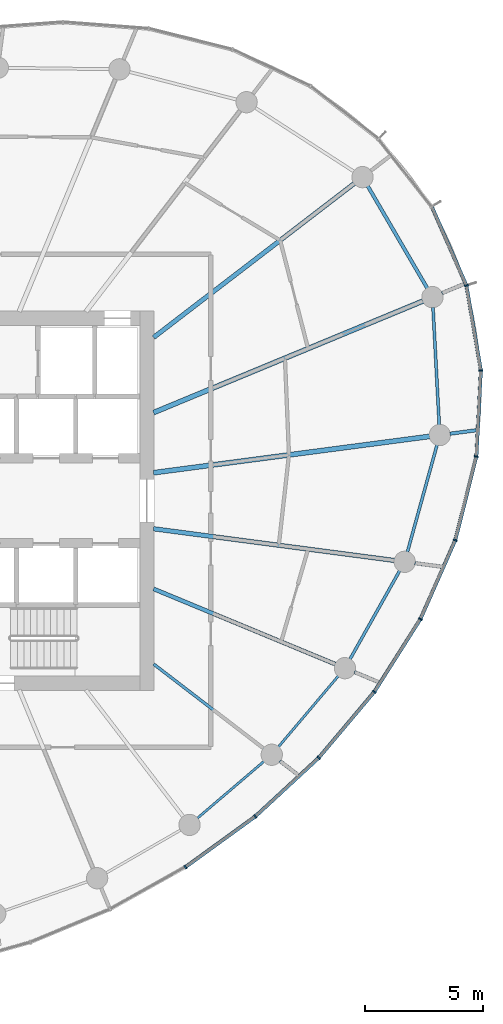
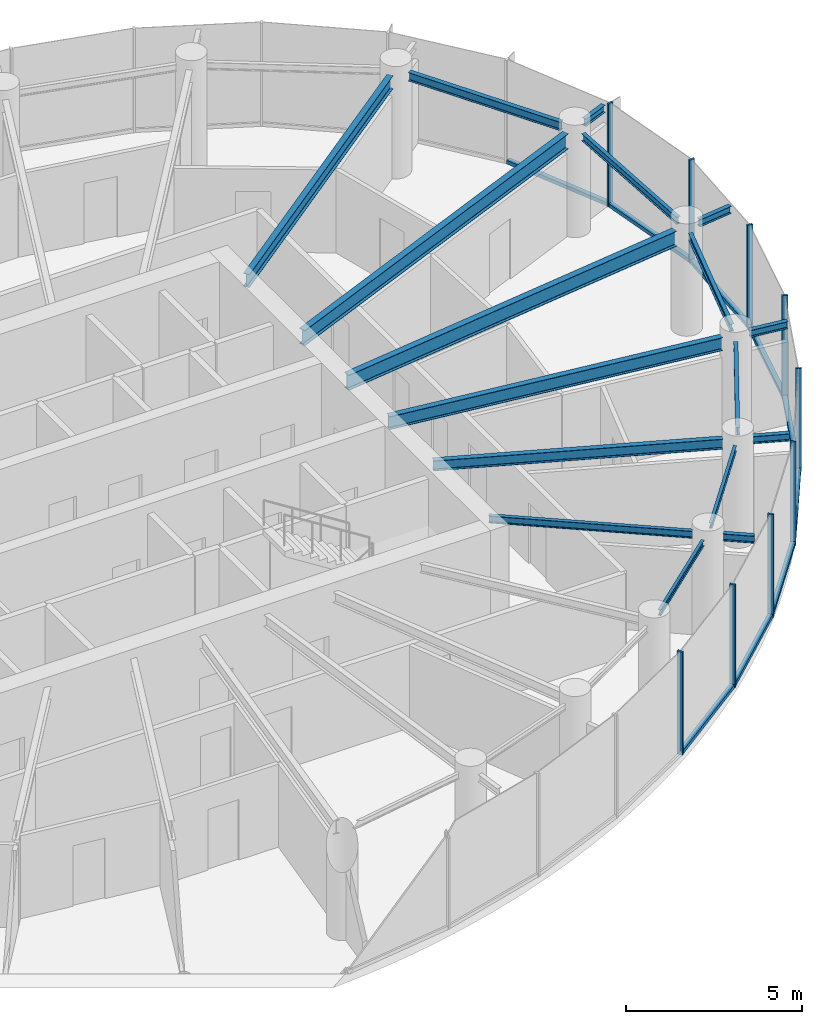
# One storey, part 5 of 14: 18 members, 17 beams, 2 elements without a shape of their own.
"""IFC4 building model written with IfcOpenShell, lengths in metres."""

from ifc_helpers import new_model, si_unit, direction, frame, origin, origin_2d, place, context, subcontext, project, spatial, rectangle, i_section, extrude, source, transform, mapped, material, layer, layer_set, material_profile, profile_set, type_object, element, aggregate, save


model = new_model("IFC4")

# Units and contexts
model_context = context("Model", 3, precision=1e-05, world=origin(), true_north=direction((0.0, 1.0)))
body_context = subcontext(model_context, "Body", "Model", "MODEL_VIEW")
ifc_project = project(units=[si_unit("LENGTHUNIT", "METRE"), si_unit("AREAUNIT", "SQUARE_METRE"), si_unit("VOLUMEUNIT", "CUBIC_METRE"), si_unit("PLANEANGLEUNIT", "RADIAN"), si_unit("MASSUNIT", "GRAM", prefix="KILO")], contexts=[model_context])

# Site, building, storey
site_placement = place(None, origin())
site = spatial("IfcSite", under=ifc_project, at=site_placement, CompositionType="ELEMENT")
building_placement = place(site_placement, origin())
building = spatial("IfcBuilding", under=site, at=building_placement, Name="Spindrift Exchange Tower", CompositionType="ELEMENT")
storey_placement = place(building_placement, frame((0.0, 0.0, 211.10009765625)))
storey = spatial("IfcBuildingStorey", under=building, at=storey_placement, Name="L51", CompositionType="ELEMENT", Elevation=211.10009765625)

# Beams
ifc_material_1 = material(Name="Steel Grade 300", Category="steel")
ifc_material_profile_1 = material_profile(ifc_material_1, i_section(OverallWidth=0.208984375, OverallDepth=0.528076171875, WebThickness=0.009521484375, FlangeThickness=0.01318359375, FilletRadius=0.013916015625, at=origin_2d()), Name="530UB82.0")
ifc_profile_set_1 = profile_set([ifc_material_profile_1], Name="Steel Grade 300")
beam_type_1 = type_object("IfcBeamType", Name="Floor Beam 530UB82.0 Steel Grade 300", PredefinedType="BEAM", material=ifc_profile_set_1)
shared_shape_1 = source(origin(), body_context, "Body", "SweptSolid", [
    extrude(i_section(OverallWidth=0.208984375, OverallDepth=0.528076171875, WebThickness=0.009521484375, FlangeThickness=0.01318359375, FilletRadius=0.013916015625, at=origin_2d()), origin(), (0.0, 0.0, 1.0), 11.75634765625),
])
beam_1_placement = place(storey_placement, frame((60.980224609375, 49.182373046875, 3.31591796875), z_axis=(0.991445811455, 0.13051897543, 0.0), x_axis=(-0.13051897543, 0.991445811455, 0.0)))
element("IfcBeam", 1, at=beam_1_placement, inside=storey, type_object=beam_type_1, Name="L51 radial beam R01A", PredefinedType="BEAM", context=body_context, shape_type="MappedRepresentation", body=[
    mapped(shared_shape_1, transform((0.0, 0.0, 0.0), scale=1.0)),
])
shared_shape_2 = source(origin(), body_context, "Body", "SweptSolid", [
    extrude(i_section(OverallWidth=0.208984375, OverallDepth=0.528076171875, WebThickness=0.009521484375, FlangeThickness=0.01318359375, FilletRadius=0.013916015625, at=origin_2d()), origin(), (0.0, 0.0, 1.0), 12.3115234375),
])
beam_2_placement = place(storey_placement, frame((60.9814453125, 51.72021484375, 3.31591796875), z_axis=(0.923878099838, 0.382686891126, 0.0), x_axis=(-0.382686891126, 0.923878099838, 0.0)))
element("IfcBeam", 2, at=beam_2_placement, inside=storey, type_object=beam_type_1, Name="L51 radial beam R02A", PredefinedType="BEAM", context=body_context, shape_type="MappedRepresentation", body=[
    mapped(shared_shape_2, transform((0.0, 0.0, 0.0), scale=1.0)),
])
ifc_material_profile_2 = material_profile(ifc_material_1, i_section(OverallWidth=0.18994140625, OverallDepth=0.4541015625, WebThickness=0.008544921875, FlangeThickness=0.0126953125, FilletRadius=0.013916015625, at=origin_2d()), Name="460UB67.1")
ifc_profile_set_2 = profile_set([ifc_material_profile_2], Name="Steel Grade 300")
beam_type_2 = type_object("IfcBeamType", Name="Floor Beam 460UB67.1 Steel Grade 300", PredefinedType="BEAM", material=ifc_profile_set_2)
shared_shape_3 = source(origin(), body_context, "Body", "SweptSolid", [
    extrude(i_section(OverallWidth=0.18994140625, OverallDepth=0.4541015625, WebThickness=0.008544921875, FlangeThickness=0.0126953125, FilletRadius=0.013916015625, at=origin_2d()), origin(), (0.0, 0.0, 1.0), 10.684814453125),
])
beam_3_placement = place(storey_placement, frame((60.984130859375, 54.893798828125, 3.352783203125), z_axis=(0.793357316898, 0.608756246559, 0.0), x_axis=(-0.608756246559, 0.793357316898, 0.0)))
element("IfcBeam", 3, at=beam_3_placement, inside=storey, type_object=beam_type_2, Name="L51 radial beam R03A", PredefinedType="BEAM", context=body_context, shape_type="MappedRepresentation", body=[
    mapped(shared_shape_3, transform((0.0, 0.0, 0.0), scale=1.0)),
])
ifc_material_profile_3 = material_profile(ifc_material_1, i_section(OverallWidth=0.1240234375, OverallDepth=0.248046875, WebThickness=0.0048828125, FlangeThickness=0.008056640625, FilletRadius=0.011962890625, at=origin_2d()), Name="250UB25.7")
ifc_profile_set_3 = profile_set([ifc_material_profile_3], Name="Steel Grade 300")
beam_type_3 = type_object("IfcBeamType", Name="Floor Beam 250UB25.7 Steel Grade 300", PredefinedType="BEAM", material=ifc_profile_set_3)
shared_shape_4 = source(origin(), body_context, "Body", "SweptSolid", [
    extrude(i_section(OverallWidth=0.1240234375, OverallDepth=0.248046875, WebThickness=0.0048828125, FlangeThickness=0.008056640625, FilletRadius=0.011962890625, at=origin_2d()), origin(), (0.0, 0.0, 1.0), 5.855712890625),
])
beam_4_placement = place(storey_placement, frame((60.984130859375, 41.106201171875, 3.455810546875), z_axis=(0.793362708479, -0.608749219954, 0.0), x_axis=(0.608749219954, 0.793362708479, 0.0)))
element("IfcBeam", 4, at=beam_4_placement, inside=storey, type_object=beam_type_3, Name="L51 radial beam R22A", PredefinedType="BEAM", context=body_context, shape_type="MappedRepresentation", body=[
    mapped(shared_shape_4, transform((0.0, 0.0, 0.0), scale=1.0)),
])
ifc_material_profile_4 = material_profile(ifc_material_1, i_section(OverallWidth=0.1708984375, OverallDepth=0.35205078125, WebThickness=0.0068359375, FlangeThickness=0.009765625, FilletRadius=0.013916015625, at=origin_2d()), Name="360UB44.7")
ifc_profile_set_4 = profile_set([ifc_material_profile_4], Name="Steel Grade 300")
beam_type_4 = type_object("IfcBeamType", Name="Floor Beam 360UB44.7 Steel Grade 300", PredefinedType="BEAM", material=ifc_profile_set_4)
shared_shape_5 = source(origin(), body_context, "Body", "SweptSolid", [
    extrude(i_section(OverallWidth=0.1708984375, OverallDepth=0.35205078125, WebThickness=0.0068359375, FlangeThickness=0.009765625, FilletRadius=0.013916015625, at=origin_2d()), origin(), (0.0, 0.0, 1.0), 8.3134765625),
])
beam_5_placement = place(storey_placement, frame((60.9814453125, 44.27978515625, 3.40380859375), z_axis=(0.923881179957, -0.382679455055, 0.0), x_axis=(0.382679455055, 0.923881179957, 0.0)))
element("IfcBeam", 5, at=beam_5_placement, inside=storey, type_object=beam_type_4, Name="L51 radial beam R23A", PredefinedType="BEAM", context=body_context, shape_type="MappedRepresentation", body=[
    mapped(shared_shape_5, transform((0.0, 0.0, 0.0), scale=1.0)),
])
shared_shape_6 = source(origin(), body_context, "Body", "SweptSolid", [
    extrude(i_section(OverallWidth=0.18994140625, OverallDepth=0.4541015625, WebThickness=0.008544921875, FlangeThickness=0.0126953125, FilletRadius=0.013916015625, at=origin_2d()), origin(), (0.0, 0.0, 1.0), 10.262451171875),
])
beam_6_placement = place(storey_placement, frame((60.980224609375, 46.817626953125, 3.352783203125), z_axis=(0.991446763371, -0.130511744304, 0.0), x_axis=(0.130511744304, 0.991446763371, 0.0)))
element("IfcBeam", 6, at=beam_6_placement, inside=storey, type_object=beam_type_2, Name="L51 radial beam R24A", PredefinedType="BEAM", context=body_context, shape_type="MappedRepresentation", body=[
    mapped(shared_shape_6, transform((0.0, 0.0, 0.0), scale=1.0)),
])
ifc_material_profile_5 = material_profile(ifc_material_1, i_section(OverallWidth=0.1240234375, OverallDepth=0.248046875, WebThickness=0.0048828125, FlangeThickness=0.008056640625, FilletRadius=0.011962890625, at=origin_2d()), Name="250UB25.7")
ifc_profile_set_5 = profile_set([ifc_material_profile_5], Name="Steel Grade 300")
beam_type_5 = type_object("IfcBeamType", Name="Edge Beam 250UB25.7 Steel Grade 300", PredefinedType="SPANDREL", material=ifc_profile_set_5)
shared_shape_7 = source(origin(), body_context, "Body", "SweptSolid", [
    extrude(i_section(OverallWidth=0.1240234375, OverallDepth=0.248046875, WebThickness=0.0048828125, FlangeThickness=0.008056640625, FilletRadius=0.011962890625, at=origin_2d()), origin(), (0.0, 0.0, 1.0), 4.971435546875),
])
beam_7_placement = place(storey_placement, frame((73.03955078125, 51.202392578125, 3.455810546875), z_axis=(-0.053038255124, 0.998592481192, 0.0), x_axis=(-0.998592481192, -0.053038255124, 0.0)))
element("IfcBeam", 7, at=beam_7_placement, inside=storey, type_object=beam_type_5, Name="L51 edge beam E01", PredefinedType="SPANDREL", context=body_context, shape_type="MappedRepresentation", body=[
    mapped(shared_shape_7, transform((0.0, 0.0, 0.0), scale=1.0)),
])
ifc_material_profile_6 = material_profile(ifc_material_1, i_section(OverallWidth=0.14892578125, OverallDepth=0.298095703125, WebThickness=0.005615234375, FlangeThickness=0.008056640625, FilletRadius=0.012939453125, at=origin_2d()), Name="310UB32.0")
ifc_profile_set_6 = profile_set([ifc_material_profile_6], Name="Steel Grade 300")
beam_type_6 = type_object("IfcBeamType", Name="Edge Beam 310UB32.0 Steel Grade 300", PredefinedType="SPANDREL", material=ifc_profile_set_6)
shared_shape_8 = source(origin(), body_context, "Body", "SweptSolid", [
    extrude(i_section(OverallWidth=0.14892578125, OverallDepth=0.298095703125, WebThickness=0.005615234375, FlangeThickness=0.008056640625, FilletRadius=0.012939453125, at=origin_2d()), origin(), (0.0, 0.0, 1.0), 5.0009765625),
])
beam_8_placement = place(storey_placement, frame((72.53662109375, 56.9677734375, 3.430908203125), z_axis=(-0.503512812094, 0.863987759205, 0.0), x_axis=(-0.863987759205, -0.503512812094, 0.0)))
element("IfcBeam", 8, at=beam_8_placement, inside=storey, type_object=beam_type_6, Name="L51 edge beam E02", PredefinedType="SPANDREL", context=body_context, shape_type="MappedRepresentation", body=[
    mapped(shared_shape_8, transform((0.0, 0.0, 0.0), scale=1.0)),
])
ifc_material_profile_7 = material_profile(ifc_material_1, i_section(OverallWidth=0.09912109375, OverallDepth=0.197998046875, WebThickness=0.00439453125, FlangeThickness=0.007080078125, FilletRadius=0.010986328125, at=origin_2d()), Name="200UB18.2")
ifc_profile_set_7 = profile_set([ifc_material_profile_7], Name="Steel Grade 300")
beam_type_7 = type_object("IfcBeamType", Name="Edge Beam 200UB18.2 Steel Grade 300", PredefinedType="SPANDREL", material=ifc_profile_set_7)
shared_shape_9 = source(origin(), body_context, "Body", "SweptSolid", [
    extrude(i_section(OverallWidth=0.09912109375, OverallDepth=0.197998046875, WebThickness=0.00439453125, FlangeThickness=0.007080078125, FilletRadius=0.010986328125, at=origin_2d()), origin(), (0.0, 0.0, 1.0), 3.703857421875),
])
beam_9_placement = place(storey_placement, frame((62.826416015625, 34.59619140625, 3.48095703125), z_axis=(0.7606692863, 0.64913961278, 0.0), x_axis=(-0.64913961278, 0.7606692863, 0.0)))
element("IfcBeam", 9, at=beam_9_placement, inside=storey, type_object=beam_type_7, Name="L51 edge beam E21", PredefinedType="SPANDREL", context=body_context, shape_type="MappedRepresentation", body=[
    mapped(shared_shape_9, transform((0.0, 0.0, 0.0), scale=1.0)),
])
shared_shape_10 = source(origin(), body_context, "Body", "SweptSolid", [
    extrude(i_section(OverallWidth=0.09912109375, OverallDepth=0.197998046875, WebThickness=0.00439453125, FlangeThickness=0.007080078125, FilletRadius=0.010986328125, at=origin_2d()), origin(), (0.0, 0.0, 1.0), 3.92431640625),
])
beam_10_placement = place(storey_placement, frame((66.24853515625, 37.608154296875, 3.48095703125), z_axis=(0.645498720032, 0.763761351757, 0.0), x_axis=(-0.763761351757, 0.645498720032, 0.0)))
element("IfcBeam", 10, at=beam_10_placement, inside=storey, type_object=beam_type_7, Name="L51 edge beam E22", PredefinedType="SPANDREL", context=body_context, shape_type="MappedRepresentation", body=[
    mapped(shared_shape_10, transform((0.0, 0.0, 0.0), scale=1.0)),
])
shared_shape_11 = source(origin(), body_context, "Body", "SweptSolid", [
    extrude(i_section(OverallWidth=0.1240234375, OverallDepth=0.248046875, WebThickness=0.0048828125, FlangeThickness=0.008056640625, FilletRadius=0.011962890625, at=origin_2d()), origin(), (0.0, 0.0, 1.0), 4.2880859375),
])
beam_11_placement = place(storey_placement, frame((69.27001953125, 41.30859375, 3.455810546875), z_axis=(0.489804347673, 0.871832381253, 0.0), x_axis=(-0.871832381253, 0.489804347673, 0.0)))
element("IfcBeam", 11, at=beam_11_placement, inside=storey, type_object=beam_type_5, Name="L51 edge beam E23", PredefinedType="SPANDREL", context=body_context, shape_type="MappedRepresentation", body=[
    mapped(shared_shape_11, transform((0.0, 0.0, 0.0), scale=1.0)),
])
shared_shape_12 = source(origin(), body_context, "Body", "SweptSolid", [
    extrude(i_section(OverallWidth=0.1240234375, OverallDepth=0.248046875, WebThickness=0.0048828125, FlangeThickness=0.008056640625, FilletRadius=0.011962890625, at=origin_2d()), origin(), (0.0, 0.0, 1.0), 4.69189453125),
])
beam_12_placement = place(storey_placement, frame((71.69580078125, 45.83642578125, 3.455810546875), z_axis=(0.266774248618, 0.963759046792, 0.0), x_axis=(-0.963759046792, 0.266774248618, 0.0)))
element("IfcBeam", 12, at=beam_12_placement, inside=storey, type_object=beam_type_5, Name="L51 edge beam E24", PredefinedType="SPANDREL", context=body_context, shape_type="MappedRepresentation", body=[
    mapped(shared_shape_12, transform((0.0, 0.0, 0.0), scale=1.0)),
])
ifc_material_profile_8 = material_profile(ifc_material_1, i_section(OverallWidth=0.14599609375, OverallDepth=0.251953125, WebThickness=0.006103515625, FlangeThickness=0.008544921875, FilletRadius=0.011962890625, at=origin_2d()), Name="250UB31.4")
ifc_profile_set_8 = profile_set([ifc_material_profile_8], Name="Steel Grade 300")
beam_type_8 = type_object("IfcBeamType", Name="Cantilever Beam 250UB31.4 Steel Grade 300", PredefinedType="BEAM", material=ifc_profile_set_8)
shared_shape_13 = source(origin(), body_context, "Body", "SweptSolid", [
    extrude(i_section(OverallWidth=0.14599609375, OverallDepth=0.251953125, WebThickness=0.006103515625, FlangeThickness=0.008544921875, FilletRadius=0.011962890625, at=origin_2d()), origin(), (0.0, 0.0, 1.0), 1.1220703125),
])
beam_13_placement = place(storey_placement, frame((73.488525390625, 50.8291015625, 3.453857421875), z_axis=(0.991443184143, 0.130538931421, 0.0), x_axis=(-0.130538931421, 0.991443184143, 0.0)))
element("IfcBeam", 13, at=beam_13_placement, inside=storey, type_object=beam_type_8, Name="L51 cantilever beam R01T", PredefinedType="BEAM", context=body_context, shape_type="MappedRepresentation", body=[
    mapped(shared_shape_13, transform((0.0, 0.0, 0.0), scale=1.0)),
])
shared_shape_14 = source(origin(), body_context, "Body", "SweptSolid", [
    extrude(i_section(OverallWidth=0.14599609375, OverallDepth=0.251953125, WebThickness=0.006103515625, FlangeThickness=0.008544921875, FilletRadius=0.011962890625, at=origin_2d()), origin(), (0.0, 0.0, 1.0), 0.896240234375),
])
beam_14_placement = place(storey_placement, frame((73.150390625, 56.7607421875, 3.453857421875), z_axis=(0.923840824744, 0.382776867817, 0.0), x_axis=(-0.382776867817, 0.923840824744, 0.0)))
element("IfcBeam", 14, at=beam_14_placement, inside=storey, type_object=beam_type_8, Name="L51 cantilever beam R02T", PredefinedType="BEAM", context=body_context, shape_type="MappedRepresentation", body=[
    mapped(shared_shape_14, transform((0.0, 0.0, 0.0), scale=1.0)),
])
shared_shape_15 = source(origin(), body_context, "Body", "SweptSolid", [
    extrude(i_section(OverallWidth=0.14599609375, OverallDepth=0.251953125, WebThickness=0.006103515625, FlangeThickness=0.008544921875, FilletRadius=0.011962890625, at=origin_2d()), origin(), (0.0, 0.0, 1.0), 0.897216796875),
])
beam_15_placement = place(storey_placement, frame((66.31201171875, 37.017822265625, 3.453857421875), z_axis=(0.793422391106, -0.608671429666, 0.0), x_axis=(0.608671429666, 0.793422391106, 0.0)))
element("IfcBeam", 15, at=beam_15_placement, inside=storey, type_object=beam_type_8, Name="L51 cantilever beam R22T", PredefinedType="BEAM", context=body_context, shape_type="MappedRepresentation", body=[
    mapped(shared_shape_15, transform((0.0, 0.0, 0.0), scale=1.0)),
])
shared_shape_16 = source(origin(), body_context, "Body", "SweptSolid", [
    extrude(i_section(OverallWidth=0.14599609375, OverallDepth=0.251953125, WebThickness=0.006103515625, FlangeThickness=0.008544921875, FilletRadius=0.011962890625, at=origin_2d()), origin(), (0.0, 0.0, 1.0), 1.0498046875),
])
beam_16_placement = place(storey_placement, frame((69.456787109375, 40.769287109375, 3.453857421875), z_axis=(0.923818363484, -0.382831074092, 0.0), x_axis=(0.382831074092, 0.923818363484, 0.0)))
element("IfcBeam", 16, at=beam_16_placement, inside=storey, type_object=beam_type_8, Name="L51 cantilever beam R23T", PredefinedType="BEAM", context=body_context, shape_type="MappedRepresentation", body=[
    mapped(shared_shape_16, transform((0.0, 0.0, 0.0), scale=1.0)),
])
shared_shape_17 = source(origin(), body_context, "Body", "SweptSolid", [
    extrude(i_section(OverallWidth=0.14599609375, OverallDepth=0.251953125, WebThickness=0.006103515625, FlangeThickness=0.008544921875, FilletRadius=0.011962890625, at=origin_2d()), origin(), (0.0, 0.0, 1.0), 1.15185546875),
])
beam_17_placement = place(storey_placement, frame((72.00732421875, 45.365966796875, 3.453857421875), z_axis=(0.991441306063, -0.130553194642, 0.0), x_axis=(0.130553194642, 0.991441306063, 0.0)))
element("IfcBeam", 17, at=beam_17_placement, inside=storey, type_object=beam_type_8, Name="L51 cantilever beam R24T", PredefinedType="BEAM", context=body_context, shape_type="MappedRepresentation", body=[
    mapped(shared_shape_17, transform((0.0, 0.0, 0.0), scale=1.0)),
])

# Curtain wall, members
ifc_material_2 = material(Name="Fritted laminated glass with bronze frame", Category="glass")
ifc_layer = layer(ifc_material_2, 0.169921875)
ifc_layer_set = layer_set([ifc_layer], Name="ZONE 4 BRONZE FRITTED WALL")
curtain_wall_type = type_object("IfcCurtainWallType", Name="ZONE 4 BRONZE FRITTED WALL", PredefinedType="NOTDEFINED", material=ifc_layer_set)
curtain_wall_1_placement = place(storey_placement, origin())
curtain_wall_1 = element("IfcCurtainWall", 18, at=curtain_wall_1_placement, inside=storey, type_object=curtain_wall_type, Name="L51 Zone 4 Bronze Fritted Wall run 5", PredefinedType="NOTDEFINED")
ifc_material_3 = material(Name="Bronze anodised aluminium", Category="aluminium")
ifc_material_profile_9 = material_profile(ifc_material_3, rectangle(XDim=0.06494140625, YDim=0.169921875, at=origin_2d()), Name="ZONE 4 BRONZE FRITTED WALL MULLION 65X170")
ifc_profile_set_9 = profile_set([ifc_material_profile_9], Name="Bronze anodised aluminium")
member_type_1 = type_object("IfcMemberType", Name="ZONE 4 BRONZE FRITTED WALL MULLION 65X170", PredefinedType="MULLION", material=ifc_profile_set_9)
shared_shape_18 = source(origin(), body_context, "Body", "SweptSolid", [
    extrude(rectangle(XDim=0.06494140625, YDim=0.169921875, at=origin_2d()), origin(), (0.0, 0.0, 1.0), 3.579833984375),
])
member_1_placement = place(storey_placement, frame((62.3251953125, 32.5361328125, 0.0), z_axis=(0.0, 0.0, 1.0), x_axis=(0.842518310505, 0.538667705051, 0.0)))
member_1 = element("IfcMember", 19, at=member_1_placement, type_object=member_type_1, Name="L51 mullion CW-4.29", PredefinedType="MULLION", context=body_context, shape_type="MappedRepresentation", body=[
    mapped(shared_shape_18, transform((0.0, 0.0, 0.0), scale=1.0)),
])
member_2_placement = place(storey_placement, frame((65.275146484375, 34.673583984375, 0.0), z_axis=(0.0, 0.0, 1.0), x_axis=(0.773461186298, 0.633843666285, 0.0)))
member_2 = element("IfcMember", 20, at=member_2_placement, type_object=member_type_1, Name="L51 mullion CW-4.30", PredefinedType="MULLION", context=body_context, shape_type="MappedRepresentation", body=[
    mapped(shared_shape_18, transform((0.0, 0.0, 0.0), scale=1.0)),
])

curtain_wall_2_placement = place(storey_placement, origin())
curtain_wall_2 = element("IfcCurtainWall", 21, at=curtain_wall_2_placement, inside=storey, type_object=curtain_wall_type, Name="L51 Zone 4 Bronze Fritted Wall run 6", PredefinedType="NOTDEFINED")
member_3_placement = place(storey_placement, frame((67.950439453125, 37.14599609375, 0.0), z_axis=(0.0, 0.0, 1.0), x_axis=(0.690661309249, 0.72317837074, 0.0)))
member_3 = element("IfcMember", 22, at=member_3_placement, type_object=member_type_1, Name="L51 mullion CW-4.31", PredefinedType="MULLION", context=body_context, shape_type="MappedRepresentation", body=[
    mapped(shared_shape_18, transform((0.0, 0.0, 0.0), scale=1.0)),
])
member_4_placement = place(storey_placement, frame((70.296875, 39.931884765625, 0.0), z_axis=(0.0, 0.0, 1.0), x_axis=(0.591219892488, 0.806510408319, 0.0)))
member_4 = element("IfcMember", 23, at=member_4_placement, type_object=member_type_1, Name="L51 mullion CW-4.32", PredefinedType="MULLION", context=body_context, shape_type="MappedRepresentation", body=[
    mapped(shared_shape_18, transform((0.0, 0.0, 0.0), scale=1.0)),
])
member_5_placement = place(storey_placement, frame((72.247314453125, 43.00732421875, 0.0), z_axis=(0.0, 0.0, 1.0), x_axis=(0.471048735458, 0.882107186697, 0.0)))
member_5 = element("IfcMember", 24, at=member_5_placement, type_object=member_type_1, Name="L51 mullion CW-4.33", PredefinedType="MULLION", context=body_context, shape_type="MappedRepresentation", body=[
    mapped(shared_shape_18, transform((0.0, 0.0, 0.0), scale=1.0)),
])
member_6_placement = place(storey_placement, frame((73.718017578125, 46.338134765625, 0.0), z_axis=(0.0, 0.0, 1.0), x_axis=(0.325140742054, 0.945665637452, 0.0)))
member_6 = element("IfcMember", 25, at=member_6_placement, type_object=member_type_1, Name="L51 mullion CW-4.34", PredefinedType="MULLION", context=body_context, shape_type="MappedRepresentation", body=[
    mapped(shared_shape_18, transform((0.0, 0.0, 0.0), scale=1.0)),
])
member_7_placement = place(storey_placement, frame((74.606201171875, 49.8681640625, 0.0), z_axis=(0.0, 0.0, 1.0), x_axis=(0.148928786473, 0.988847923879, 0.0)))
member_7 = element("IfcMember", 26, at=member_7_placement, type_object=member_type_1, Name="L51 mullion CW-4.35", PredefinedType="MULLION", context=body_context, shape_type="MappedRepresentation", body=[
    mapped(shared_shape_18, transform((0.0, 0.0, 0.0), scale=1.0)),
])
member_8_placement = place(storey_placement, frame((74.796875, 53.50146484375, 0.0), z_axis=(0.0, 0.0, 1.0), x_axis=(-0.058211777898, 0.998304256684, 0.0)))
member_8 = element("IfcMember", 27, at=member_8_placement, type_object=member_type_1, Name="L51 mullion CW-4.36", PredefinedType="MULLION", context=body_context, shape_type="MappedRepresentation", body=[
    mapped(shared_shape_18, transform((0.0, 0.0, 0.0), scale=1.0)),
])
member_9_placement = place(storey_placement, frame((74.185546875, 57.086181640625, 0.0), z_axis=(0.0, 0.0, 1.0), x_axis=(-0.286900523108, 0.9579603801, 0.0)))
member_9 = element("IfcMember", 28, at=member_9_placement, type_object=member_type_1, Name="L51 mullion CW-4.37", PredefinedType="MULLION", context=body_context, shape_type="MappedRepresentation", body=[
    mapped(shared_shape_18, transform((0.0, 0.0, 0.0), scale=1.0)),
])

# Member
ifc_material_profile_10 = material_profile(ifc_material_3, rectangle(XDim=0.14990234375, YDim=0.125, at=origin_2d()), Name="ZONE 4 BRONZE FRITTED WALL TRANSOM 150X125")
ifc_profile_set_10 = profile_set([ifc_material_profile_10], Name="Bronze anodised aluminium")
member_type_2 = type_object("IfcMemberType", Name="ZONE 4 BRONZE FRITTED WALL TRANSOM 150X125", PredefinedType="USERDEFINED", material=ifc_profile_set_10)
shared_shape_19 = source(origin(), body_context, "Body", "SweptSolid", [
    extrude(rectangle(XDim=0.14990234375, YDim=0.125, at=origin_2d()), origin(), (0.0, 0.0, 1.0), 3.577880859375),
])
member_10_placement = place(storey_placement, frame((62.3515625, 32.55517578125, 0.0625), z_axis=(0.809758770431, 0.58676292803, 0.0), x_axis=(-0.58676292803, 0.809758770431, 0.0)))
member_10 = element("IfcMember", 29, at=member_10_placement, type_object=member_type_2, Name="L51 transom CW-4.29", ObjectType="TRANSOM", PredefinedType="USERDEFINED", context=body_context, shape_type="MappedRepresentation", body=[
    mapped(shared_shape_19, transform((0.0, 0.0, 0.0), scale=1.0)),
])

shared_shape_20 = source(origin(), body_context, "Body", "SweptSolid", [
    extrude(rectangle(XDim=0.14990234375, YDim=0.125, at=origin_2d()), origin(), (0.0, 0.0, 1.0), 3.57666015625),
])
member_11_placement = place(storey_placement, frame((70.314208984375, 39.959228515625, 0.0625), z_axis=(0.535558648317, 0.844498036832, 0.0), x_axis=(-0.844498036832, 0.535558648317, 0.0)))
member_11 = element("IfcMember", 30, at=member_11_placement, type_object=member_type_2, Name="L51 transom CW-4.32", ObjectType="TRANSOM", PredefinedType="USERDEFINED", context=body_context, shape_type="MappedRepresentation", body=[
    mapped(shared_shape_20, transform((0.0, 0.0, 0.0), scale=1.0)),
])

shared_shape_21 = source(origin(), body_context, "Body", "SweptSolid", [
    extrude(rectangle(XDim=0.14990234375, YDim=0.125, at=origin_2d()), origin(), (0.0, 0.0, 1.0), 3.577392578125),
])
member_12_placement = place(storey_placement, frame((65.299072265625, 34.69580078125, 0.0625), z_axis=(0.734434429655, 0.678679650894, 0.0), x_axis=(-0.678679650894, 0.734434429655, 0.0)))
member_12 = element("IfcMember", 31, at=member_12_placement, type_object=member_type_2, Name="L51 transom CW-4.30", ObjectType="TRANSOM", PredefinedType="USERDEFINED", context=body_context, shape_type="MappedRepresentation", body=[
    mapped(shared_shape_21, transform((0.0, 0.0, 0.0), scale=1.0)),
])

aggregate(curtain_wall_1, [member_1, member_10, member_2, member_12])

member_13_placement = place(storey_placement, frame((67.971435546875, 37.170654296875, 0.0625), z_axis=(0.64416306543, 0.764888191264, 0.0), x_axis=(-0.764888191264, 0.64416306543, 0.0)))
member_13 = element("IfcMember", 32, at=member_13_placement, type_object=member_type_2, Name="L51 transom CW-4.31", ObjectType="TRANSOM", PredefinedType="USERDEFINED", context=body_context, shape_type="MappedRepresentation", body=[
    mapped(shared_shape_21, transform((0.0, 0.0, 0.0), scale=1.0)),
])

shared_shape_22 = source(origin(), body_context, "Body", "SweptSolid", [
    extrude(rectangle(XDim=0.14990234375, YDim=0.125, at=origin_2d()), origin(), (0.0, 0.0, 1.0), 3.5703125),
])
member_14_placement = place(storey_placement, frame((74.17236328125, 57.115966796875, 0.0625), z_axis=(-0.401399884728, 0.915902905629, 0.0), x_axis=(-0.915902905629, -0.401399884728, 0.0)))
member_14 = element("IfcMember", 33, at=member_14_placement, type_object=member_type_2, Name="L51 transom CW-4.37", ObjectType="TRANSOM", PredefinedType="USERDEFINED", context=body_context, shape_type="MappedRepresentation", body=[
    mapped(shared_shape_22, transform((0.0, 0.0, 0.0), scale=1.0)),
])

shared_shape_23 = source(origin(), body_context, "Body", "SweptSolid", [
    extrude(rectangle(XDim=0.14990234375, YDim=0.125, at=origin_2d()), origin(), (0.0, 0.0, 1.0), 3.571533203125),
])
member_15_placement = place(storey_placement, frame((74.79150390625, 53.533447265625, 0.0625), z_axis=(-0.168155521573, 0.985760478293, 0.0), x_axis=(-0.985760478293, -0.168155521573, 0.0)))
member_15 = element("IfcMember", 34, at=member_15_placement, type_object=member_type_2, Name="L51 transom CW-4.36", ObjectType="TRANSOM", PredefinedType="USERDEFINED", context=body_context, shape_type="MappedRepresentation", body=[
    mapped(shared_shape_23, transform((0.0, 0.0, 0.0), scale=1.0)),
])

shared_shape_24 = source(origin(), body_context, "Body", "SweptSolid", [
    extrude(rectangle(XDim=0.14990234375, YDim=0.125, at=origin_2d()), origin(), (0.0, 0.0, 1.0), 3.5732421875),
])
member_16_placement = place(storey_placement, frame((74.60791015625, 49.900634765625, 0.0625), z_axis=(0.052404631283, 0.99862593328, 0.0), x_axis=(-0.99862593328, 0.052404631283, 0.0)))
member_16 = element("IfcMember", 35, at=member_16_placement, type_object=member_type_2, Name="L51 transom CW-4.35", ObjectType="TRANSOM", PredefinedType="USERDEFINED", context=body_context, shape_type="MappedRepresentation", body=[
    mapped(shared_shape_24, transform((0.0, 0.0, 0.0), scale=1.0)),
])

shared_shape_25 = source(origin(), body_context, "Body", "SweptSolid", [
    extrude(rectangle(XDim=0.14990234375, YDim=0.125, at=origin_2d()), origin(), (0.0, 0.0, 1.0), 3.5751953125),
])
member_17_placement = place(storey_placement, frame((73.725830078125, 46.36962890625, 0.0625), z_axis=(0.244061765302, 0.969759689159, 0.0), x_axis=(-0.969759689159, 0.244061765302, 0.0)))
member_17 = element("IfcMember", 36, at=member_17_placement, type_object=member_type_2, Name="L51 transom CW-4.34", ObjectType="TRANSOM", PredefinedType="USERDEFINED", context=body_context, shape_type="MappedRepresentation", body=[
    mapped(shared_shape_25, transform((0.0, 0.0, 0.0), scale=1.0)),
])

shared_shape_26 = source(origin(), body_context, "Body", "SweptSolid", [
    extrude(rectangle(XDim=0.14990234375, YDim=0.125, at=origin_2d()), origin(), (0.0, 0.0, 1.0), 3.575927734375),
])
member_18_placement = place(storey_placement, frame((72.26025390625, 43.037109375, 0.0625), z_axis=(0.403964583761, 0.914774625286, 0.0), x_axis=(-0.914774625286, 0.403964583761, 0.0)))
member_18 = element("IfcMember", 37, at=member_18_placement, type_object=member_type_2, Name="L51 transom CW-4.33", ObjectType="TRANSOM", PredefinedType="USERDEFINED", context=body_context, shape_type="MappedRepresentation", body=[
    mapped(shared_shape_26, transform((0.0, 0.0, 0.0), scale=1.0)),
])

aggregate(curtain_wall_2, [member_3, member_13, member_4, member_11, member_5, member_18, member_6, member_17, member_7, member_16, member_8, member_15, member_9, member_14])

save(model, "model.ifc")
